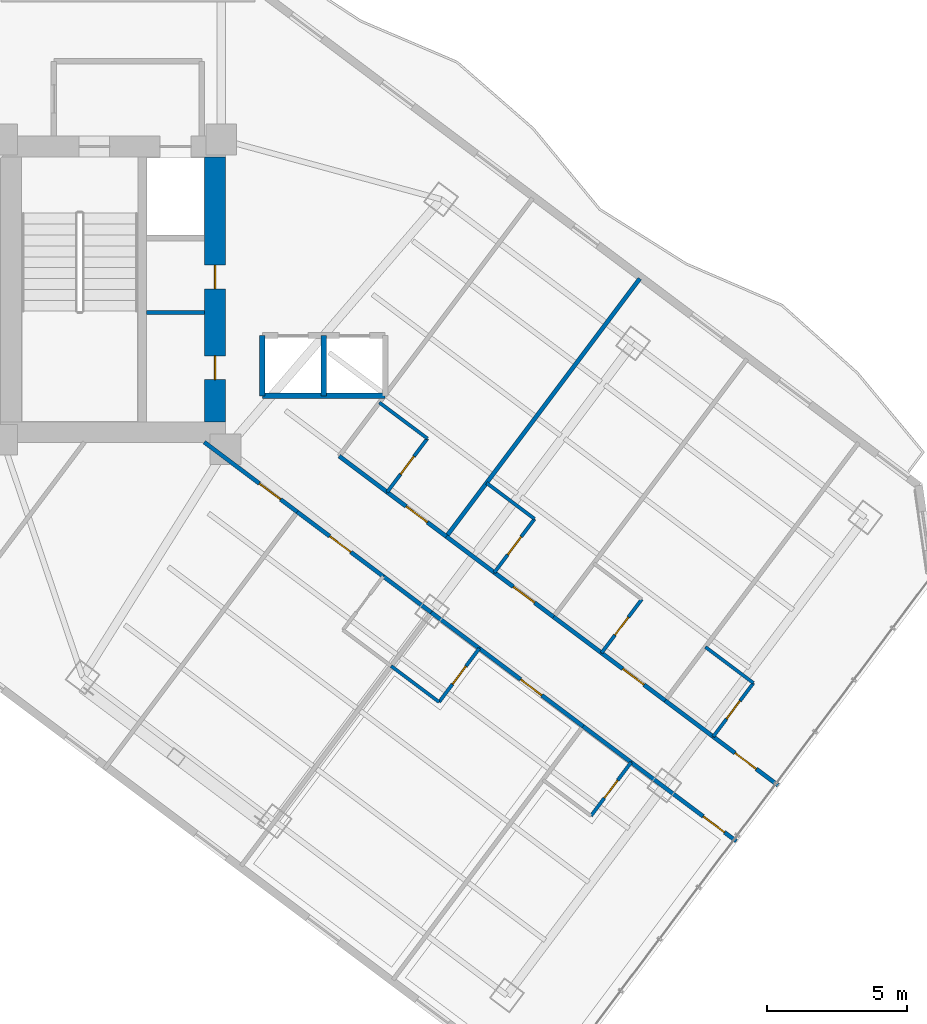
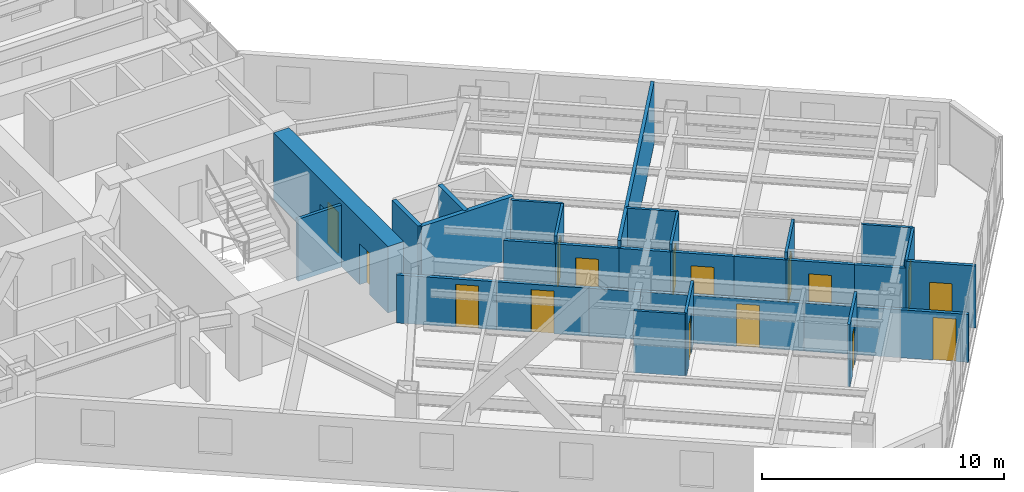
# One storey, part 23 of 30: 31 walls, 16 doors, 16 openings.
"""IFC4 building model written with IfcOpenShell, lengths in metres."""

from ifc_helpers import new_model, si_unit, direction, frame, frame_2d, origin, place, context, subcontext, project, spatial, rectangle, extrude, material, layer, layer_set, type_object, element, fill, save


model = new_model("IFC4")

# Units and contexts
model_context = context("Model", 3, precision=1e-05, world=origin(), true_north=direction((0.0, 1.0)))
body_context = subcontext(model_context, "Body", "Model", "MODEL_VIEW")
ifc_project = project(units=[si_unit("LENGTHUNIT", "METRE"), si_unit("AREAUNIT", "SQUARE_METRE"), si_unit("VOLUMEUNIT", "CUBIC_METRE"), si_unit("PLANEANGLEUNIT", "RADIAN"), si_unit("MASSUNIT", "GRAM", prefix="KILO")], contexts=[model_context])

# Site, building, storey
site_placement = place(None, origin())
site = spatial("IfcSite", under=ifc_project, at=site_placement, CompositionType="ELEMENT")
building_placement = place(site_placement, origin())
building = spatial("IfcBuilding", under=site, at=building_placement, Name="Hatsunagi Terrace Concourse", CompositionType="ELEMENT")
storey_placement = place(building_placement, frame((0.0, 0.0, 74.60009765625)))
storey = spatial("IfcBuildingStorey", under=building, at=storey_placement, Name="L19", CompositionType="ELEMENT", Elevation=74.60009765625)

# Wall, openings, doors
ifc_material_1 = material(Name="Concrete Fc60", Category="concrete")
ifc_layer_1 = layer(ifc_material_1, 0.75)
ifc_layer_set_1 = layer_set([ifc_layer_1], Name="CoreShearWall_Fc60_750")
wall_type_1 = type_object("IfcWallType", Name="CoreShearWall_Fc60_750", PredefinedType="SHEAR", material=ifc_layer_set_1)
wall_1_placement = place(storey_placement, frame((43.425048828125, 25.18994140625, 0.0), z_axis=(0.0, 0.0, 1.0), x_axis=(0.0, 1.0, 0.0)))
wall_1 = element("IfcWall", 1, at=wall_1_placement, inside=storey, type_object=wall_type_1, Name="Core B Shear Wall E L19", PredefinedType="SHEAR", context=body_context, shape_type="SweptSolid", body=[
    extrude(rectangle(XDim=9.47998046875, YDim=0.75, at=frame_2d((4.739990234375, 0.0))), origin(), (0.0, 0.0, 1.0), 3.349853515625),
])
opening_1_placement = place(wall_1_placement, frame((1.510009765625, 0.0, 0.0)))
opening_1 = element("IfcOpeningElement", 2, at=opening_1_placement, cuts=wall_1, Name="Opening DR-085", PredefinedType="OPENING", context=body_context, shape_type="SweptSolid", body=[
    extrude(rectangle(XDim=0.85009765625, YDim=2.080078125, at=frame_2d((0.425048828125, 1.0400390625))), frame((0.0, 0.385009765625, 0.0), z_axis=(0.0, -1.0, 0.0), x_axis=(1.0, 0.0, 0.0)), (0.0, 0.0, 1.0), 0.77001953125),
])
opening_2_placement = place(wall_1_placement, frame((4.760009765625, 0.0, 0.0)))
opening_2 = element("IfcOpeningElement", 3, at=opening_2_placement, cuts=wall_1, Name="Opening DR-085", PredefinedType="OPENING", context=body_context, shape_type="SweptSolid", body=[
    extrude(rectangle(XDim=0.85009765625, YDim=2.080078125, at=frame_2d((0.425048828125, 1.0400390625))), frame((0.0, 0.385009765625, 0.0), z_axis=(0.0, -1.0, 0.0), x_axis=(1.0, 0.0, 0.0)), (0.0, 0.0, 1.0), 0.77001953125),
])
ifc_material_2 = material(Name="Painted steel", Category="steel")
door_type_1 = type_object("IfcDoorType", Name="RiserAccessDoor_EI60_850", OperationType="NOTDEFINED", PredefinedType="DOOR", material=ifc_material_2)
door_1_placement = place(opening_1_placement, origin())
door_1 = element("IfcDoor", 4, at=door_1_placement, inside=storey, type_object=door_type_1, Name="Core B Riser Door L19-1", OperationType="SINGLE_SWING_RIGHT", OverallHeight=2.080078125, OverallWidth=0.85009765625, PredefinedType="DOOR", context=body_context, shape_type="SweptSolid", body=[
    extrude(rectangle(XDim=0.85009765625, YDim=2.080078125, at=frame_2d((0.425048828125, 1.0400390625))), frame((0.0, 0.02490234375, 0.0), z_axis=(0.0, -1.0, 0.0), x_axis=(1.0, 0.0, 0.0)), (0.0, 0.0, 1.0), 0.050048828125),
])
fill(opening_1, door_1)
door_2_placement = place(opening_2_placement, origin())
door_2 = element("IfcDoor", 5, at=door_2_placement, inside=storey, type_object=door_type_1, Name="Core B Riser Door L19-2", OperationType="SINGLE_SWING_RIGHT", OverallHeight=2.080078125, OverallWidth=0.85009765625, PredefinedType="DOOR", context=body_context, shape_type="SweptSolid", body=[
    extrude(rectangle(XDim=0.85009765625, YDim=2.080078125, at=frame_2d((0.425048828125, 1.0400390625))), frame((0.0, 0.02490234375, 0.0), z_axis=(0.0, -1.0, 0.0), x_axis=(1.0, 0.0, 0.0)), (0.0, 0.0, 1.0), 0.050048828125),
])
fill(opening_2, door_2)

# Wall, opening, door
ifc_material_3 = material(Name="Acoustic mineral board", Category="gypsum")
ifc_layer_2 = layer(ifc_material_3, 0.1201171875)
ifc_layer_set_2 = layer_set([ifc_layer_2], Name="PartitionWall_EI30_120")
wall_type_2 = type_object("IfcWallType", Name="PartitionWall_EI30_120", PredefinedType="PARTITIONING", material=ifc_layer_set_2)
wall_2_placement = place(storey_placement, frame((49.590087890625, 22.669921875, 0.0), z_axis=(0.0, 0.0, 1.0), x_axis=(0.599951172744, 0.800036618114, 0.0)))
wall_2 = element("IfcWall", 6, at=wall_2_placement, inside=storey, type_object=wall_type_2, Name="Interior Partition IW-L19-067", PredefinedType="PARTITIONING", context=body_context, shape_type="SweptSolid", body=[
    extrude(rectangle(XDim=2.400146484375, YDim=0.1201171875, at=frame_2d((1.2001953125, 0.0))), origin(), (0.0, 0.0, 1.0), 3.1298828125),
])
opening_3_placement = place(wall_2_placement, frame((0.800048828125, 0.0, 0.0)))
opening_3 = element("IfcOpeningElement", 7, at=opening_3_placement, cuts=wall_2, Name="Opening DR-080", PredefinedType="OPENING", context=body_context, shape_type="SweptSolid", body=[
    extrude(rectangle(XDim=0.800048828125, YDim=2.06005859375, at=frame_2d((0.39990234375, 1.030029296875))), frame((0.0, 0.070068359375, 0.0), z_axis=(0.0, -1.0, 0.0), x_axis=(1.0, 0.0, 0.0)), (0.0, 0.0, 1.0), 0.14013671875),
])
ifc_material_4 = material(Name="Hardwood timber", Category="wood")
door_type_2 = type_object("IfcDoorType", Name="BathroomDoor_800", OperationType="NOTDEFINED", PredefinedType="DOOR", material=ifc_material_4)
door_3_placement = place(opening_3_placement, origin())
door_3 = element("IfcDoor", 8, at=door_3_placement, inside=storey, type_object=door_type_2, Name="En-Suite Bathroom L19-SENE1 Door", OperationType="SINGLE_SWING_LEFT", OverallHeight=2.06005859375, OverallWidth=0.800048828125, PredefinedType="DOOR", context=body_context, shape_type="SweptSolid", body=[
    extrude(rectangle(XDim=0.800048828125, YDim=2.06005859375, at=frame_2d((0.39990234375, 1.030029296875))), frame((0.0, 0.02490234375, 0.0), z_axis=(0.0, -1.0, 0.0), x_axis=(1.0, 0.0, 0.0)), (0.0, 0.0, 1.0), 0.050048828125),
])
fill(opening_3, door_3)

# Wall
wall_3_placement = place(storey_placement, frame((49.31005859375, 25.8798828125, 0.0), z_axis=(0.0, 0.0, 1.0), x_axis=(0.800040880289, -0.59994548908, 0.0)))
element("IfcWall", 9, at=wall_3_placement, inside=storey, type_object=wall_type_2, Name="Interior Partition IW-L19-068", PredefinedType="PARTITIONING", context=body_context, shape_type="SweptSolid", body=[
    extrude(rectangle(XDim=2.14990234375, YDim=0.1201171875, at=frame_2d((1.074951171875, 0.0))), origin(), (0.0, 0.0, 1.0), 3.1298828125),
])

# Wall, opening, door
wall_4_placement = place(storey_placement, frame((53.429931640625, 19.7900390625, 0.0), z_axis=(0.0, 0.0, 1.0), x_axis=(0.600065100855, 0.79995117022, 0.0)))
wall_4 = element("IfcWall", 10, at=wall_4_placement, inside=storey, type_object=wall_type_2, Name="Interior Partition IW-L19-073", PredefinedType="PARTITIONING", context=body_context, shape_type="SweptSolid", body=[
    extrude(rectangle(XDim=2.400146484375, YDim=0.1201171875, at=frame_2d((1.2001953125, 0.0))), origin(), (0.0, 0.0, 1.0), 3.1298828125),
])
opening_4_placement = place(wall_4_placement, frame((0.800048828125, 0.0, 0.0)))
opening_4 = element("IfcOpeningElement", 11, at=opening_4_placement, cuts=wall_4, Name="Opening DR-080", PredefinedType="OPENING", context=body_context, shape_type="SweptSolid", body=[
    extrude(rectangle(XDim=0.800048828125, YDim=2.06005859375, at=frame_2d((0.39990234375, 1.030029296875))), frame((0.0, 0.070068359375, 0.0), z_axis=(0.0, -1.0, 0.0), x_axis=(1.0, 0.0, 0.0)), (0.0, 0.0, 1.0), 0.14013671875),
])
door_4_placement = place(opening_4_placement, origin())
door_4 = element("IfcDoor", 12, at=door_4_placement, inside=storey, type_object=door_type_2, Name="En-Suite Bathroom L19-SENE2 Door", OperationType="SINGLE_SWING_RIGHT", OverallHeight=2.06005859375, OverallWidth=0.800048828125, PredefinedType="DOOR", context=body_context, shape_type="SweptSolid", body=[
    extrude(rectangle(XDim=0.800048828125, YDim=2.06005859375, at=frame_2d((0.39990234375, 1.030029296875))), frame((0.0, 0.02490234375, 0.0), z_axis=(0.0, -1.0, 0.0), x_axis=(1.0, 0.0, 0.0)), (0.0, 0.0, 1.0), 0.050048828125),
])
fill(opening_4, door_4)

# Wall
wall_5_placement = place(storey_placement, frame((53.14990234375, 23.0, 0.0), z_axis=(0.0, 0.0, 1.0), x_axis=(0.800027249606, -0.599963665473, 0.0)))
element("IfcWall", 13, at=wall_5_placement, inside=storey, type_object=wall_type_2, Name="Interior Partition IW-L19-074", PredefinedType="PARTITIONING", context=body_context, shape_type="SweptSolid", body=[
    extrude(rectangle(XDim=2.150146484375, YDim=0.1201171875, at=frame_2d((1.0751953125, 0.0))), origin(), (0.0, 0.0, 1.0), 3.1298828125),
])

# Wall, opening, door
wall_6_placement = place(storey_placement, frame((57.27001953125, 16.909912109375, 0.0), z_axis=(0.0, 0.0, 1.0), x_axis=(0.599951172744, 0.800036618114, 0.0)))
wall_6 = element("IfcWall", 14, at=wall_6_placement, inside=storey, type_object=wall_type_2, Name="Interior Partition IW-L19-078", PredefinedType="PARTITIONING", context=body_context, shape_type="SweptSolid", body=[
    extrude(rectangle(XDim=2.400146484375, YDim=0.1201171875, at=frame_2d((1.2001953125, 0.0))), origin(), (0.0, 0.0, 1.0), 3.1298828125),
])
opening_5_placement = place(wall_6_placement, frame((0.800048828125, 0.0, 0.0)))
opening_5 = element("IfcOpeningElement", 15, at=opening_5_placement, cuts=wall_6, Name="Opening DR-080", PredefinedType="OPENING", context=body_context, shape_type="SweptSolid", body=[
    extrude(rectangle(XDim=0.800048828125, YDim=2.06005859375, at=frame_2d((0.39990234375, 1.030029296875))), frame((0.0, 0.070068359375, 0.0), z_axis=(0.0, -1.0, 0.0), x_axis=(1.0, 0.0, 0.0)), (0.0, 0.0, 1.0), 0.14013671875),
])
door_5_placement = place(opening_5_placement, origin())
door_5 = element("IfcDoor", 16, at=door_5_placement, inside=storey, type_object=door_type_2, Name="En-Suite Bathroom L19-SENE3 Door", OperationType="SINGLE_SWING_LEFT", OverallHeight=2.06005859375, OverallWidth=0.800048828125, PredefinedType="DOOR", context=body_context, shape_type="SweptSolid", body=[
    extrude(rectangle(XDim=0.800048828125, YDim=2.06005859375, at=frame_2d((0.39990234375, 1.030029296875))), frame((0.0, 0.02490234375, 0.0), z_axis=(0.0, -1.0, 0.0), x_axis=(1.0, 0.0, 0.0)), (0.0, 0.0, 1.0), 0.050048828125),
])
fill(opening_5, door_5)

wall_7_placement = place(storey_placement, frame((61.27001953125, 13.909912109375, 0.0), z_axis=(0.0, 0.0, 1.0), x_axis=(0.599951172744, 0.800036618114, 0.0)))
wall_7 = element("IfcWall", 17, at=wall_7_placement, inside=storey, type_object=wall_type_2, Name="Interior Partition IW-L19-083", PredefinedType="PARTITIONING", context=body_context, shape_type="SweptSolid", body=[
    extrude(rectangle(XDim=2.400146484375, YDim=0.1201171875, at=frame_2d((1.2001953125, 0.0))), origin(), (0.0, 0.0, 1.0), 3.1298828125),
])
opening_6_placement = place(wall_7_placement, frame((0.800048828125, 0.0, 0.0)))
opening_6 = element("IfcOpeningElement", 18, at=opening_6_placement, cuts=wall_7, Name="Opening DR-080", PredefinedType="OPENING", context=body_context, shape_type="SweptSolid", body=[
    extrude(rectangle(XDim=0.800048828125, YDim=2.06005859375, at=frame_2d((0.39990234375, 1.030029296875))), frame((0.0, 0.070068359375, 0.0), z_axis=(0.0, -1.0, 0.0), x_axis=(1.0, 0.0, 0.0)), (0.0, 0.0, 1.0), 0.14013671875),
])
door_6_placement = place(opening_6_placement, origin())
door_6 = element("IfcDoor", 19, at=door_6_placement, inside=storey, type_object=door_type_2, Name="En-Suite Bathroom L19-SENE4 Door", OperationType="SINGLE_SWING_RIGHT", OverallHeight=2.06005859375, OverallWidth=0.800048828125, PredefinedType="DOOR", context=body_context, shape_type="SweptSolid", body=[
    extrude(rectangle(XDim=0.800048828125, YDim=2.06005859375, at=frame_2d((0.39990234375, 1.030029296875))), frame((0.0, 0.02490234375, 0.0), z_axis=(0.0, -1.0, 0.0), x_axis=(1.0, 0.0, 0.0)), (0.0, 0.0, 1.0), 0.050048828125),
])
fill(opening_6, door_6)

# Wall
wall_8_placement = place(storey_placement, frame((60.989990234375, 17.1201171875, 0.0), z_axis=(0.0, 0.0, 1.0), x_axis=(0.79998637334, -0.60001816845, 0.0)))
element("IfcWall", 20, at=wall_8_placement, inside=storey, type_object=wall_type_2, Name="Interior Partition IW-L19-084", PredefinedType="PARTITIONING", context=body_context, shape_type="SweptSolid", body=[
    extrude(rectangle(XDim=2.14990234375, YDim=0.1201171875, at=frame_2d((1.074951171875, 0.0))), origin(), (0.0, 0.0, 1.0), 3.1298828125),
])

# Wall, opening, door
wall_9_placement = place(storey_placement, frame((51.449951171875, 15.14990234375, 0.0), z_axis=(0.0, 0.0, 1.0), x_axis=(0.599951172744, 0.800036618114, 0.0)))
wall_9 = element("IfcWall", 21, at=wall_9_placement, inside=storey, type_object=wall_type_2, Name="Interior Partition IW-L19-092", PredefinedType="PARTITIONING", context=body_context, shape_type="SweptSolid", body=[
    extrude(rectangle(XDim=2.400146484375, YDim=0.1201171875, at=frame_2d((1.2001953125, 0.0))), origin(), (0.0, 0.0, 1.0), 3.1298828125),
])
opening_7_placement = place(wall_9_placement, frame((0.800048828125, 0.0, 0.0)))
opening_7 = element("IfcOpeningElement", 22, at=opening_7_placement, cuts=wall_9, Name="Opening DR-080", PredefinedType="OPENING", context=body_context, shape_type="SweptSolid", body=[
    extrude(rectangle(XDim=0.800048828125, YDim=2.06005859375, at=frame_2d((0.39990234375, 1.030029296875))), frame((0.0, 0.070068359375, 0.0), z_axis=(0.0, -1.0, 0.0), x_axis=(1.0, 0.0, 0.0)), (0.0, 0.0, 1.0), 0.14013671875),
])
door_7_placement = place(opening_7_placement, origin())
door_7 = element("IfcDoor", 23, at=door_7_placement, inside=storey, type_object=door_type_2, Name="En-Suite Bathroom L19-SESW2 Door", OperationType="SINGLE_SWING_RIGHT", OverallHeight=2.06005859375, OverallWidth=0.800048828125, PredefinedType="DOOR", context=body_context, shape_type="SweptSolid", body=[
    extrude(rectangle(XDim=0.800048828125, YDim=2.06005859375, at=frame_2d((0.39990234375, 1.030029296875))), frame((0.0, 0.02490234375, 0.0), z_axis=(0.0, -1.0, 0.0), x_axis=(1.0, 0.0, 0.0)), (0.0, 0.0, 1.0), 0.050048828125),
])
fill(opening_7, door_7)

# Wall
wall_10_placement = place(storey_placement, frame((49.72998046875, 16.43994140625, 0.0), z_axis=(0.0, 0.0, 1.0), x_axis=(0.79998637334, -0.60001816845, 0.0)))
element("IfcWall", 24, at=wall_10_placement, inside=storey, type_object=wall_type_2, Name="Interior Partition IW-L19-093", PredefinedType="PARTITIONING", context=body_context, shape_type="SweptSolid", body=[
    extrude(rectangle(XDim=2.14990234375, YDim=0.1201171875, at=frame_2d((1.074951171875, 0.0))), origin(), (0.0, 0.0, 1.0), 3.1298828125),
])

# Wall, opening, door
wall_11_placement = place(storey_placement, frame((56.889892578125, 11.070068359375, 0.0), z_axis=(0.0, 0.0, 1.0), x_axis=(0.600065100855, 0.79995117022, 0.0)))
wall_11 = element("IfcWall", 25, at=wall_11_placement, inside=storey, type_object=wall_type_2, Name="Interior Partition IW-L19-097", PredefinedType="PARTITIONING", context=body_context, shape_type="SweptSolid", body=[
    extrude(rectangle(XDim=2.400146484375, YDim=0.1201171875, at=frame_2d((1.2001953125, 0.0))), origin(), (0.0, 0.0, 1.0), 3.1298828125),
])
opening_8_placement = place(wall_11_placement, frame((0.800048828125, 0.0, 0.0)))
opening_8 = element("IfcOpeningElement", 26, at=opening_8_placement, cuts=wall_11, Name="Opening DR-080", PredefinedType="OPENING", context=body_context, shape_type="SweptSolid", body=[
    extrude(rectangle(XDim=0.800048828125, YDim=2.06005859375, at=frame_2d((0.39990234375, 1.030029296875))), frame((0.0, 0.070068359375, 0.0), z_axis=(0.0, -1.0, 0.0), x_axis=(1.0, 0.0, 0.0)), (0.0, 0.0, 1.0), 0.14013671875),
])
door_8_placement = place(opening_8_placement, origin())
door_8 = element("IfcDoor", 27, at=door_8_placement, inside=storey, type_object=door_type_2, Name="En-Suite Bathroom L19-SESW3 Door", OperationType="SINGLE_SWING_LEFT", OverallHeight=2.06005859375, OverallWidth=0.800048828125, PredefinedType="DOOR", context=body_context, shape_type="SweptSolid", body=[
    extrude(rectangle(XDim=0.800048828125, YDim=2.06005859375, at=frame_2d((0.39990234375, 1.030029296875))), frame((0.0, 0.02490234375, 0.0), z_axis=(0.0, -1.0, 0.0), x_axis=(1.0, 0.0, 0.0)), (0.0, 0.0, 1.0), 0.050048828125),
])
fill(opening_8, door_8)

# Wall
ifc_material_5 = material(Name="Acoustic mineral board", Category="gypsum")
ifc_layer_3 = layer(ifc_material_5, 0.14990234375)
ifc_layer_set_3 = layer_set([ifc_layer_3], Name="PartitionWall_EI60_150")
wall_type_3 = type_object("IfcWallType", Name="PartitionWall_EI60_150", PredefinedType="PARTITIONING", material=ifc_layer_set_3)
wall_12_placement = place(storey_placement, frame((40.969970703125, 29.10009765625, 0.0), z_axis=(0.0, 0.0, 1.0), x_axis=(1.0, 0.0, 0.0)))
element("IfcWall", 28, at=wall_12_placement, inside=storey, type_object=wall_type_3, Name="Interior Partition IW-L19-005", PredefinedType="PARTITIONING", context=body_context, shape_type="SweptSolid", body=[
    extrude(rectangle(XDim=2.080078125, YDim=0.14990234375, at=frame_2d((1.0400390625, 0.0))), origin(), (0.0, 0.0, 1.0), 3.1298828125),
])

# Wall, opening, door
wall_13_placement = place(storey_placement, frame((43.037109375, 24.4599609375, 0.0), z_axis=(0.0, 0.0, 1.0), x_axis=(0.799971872363, -0.600037501685, 0.0)))
wall_13 = element("IfcWall", 29, at=wall_13_placement, inside=storey, type_object=wall_type_3, Name="Interior Partition IW-L19-042", PredefinedType="PARTITIONING", context=body_context, shape_type="SweptSolid", body=[
    extrude(rectangle(XDim=4.16650390625, YDim=0.14990234375, at=frame_2d((2.083251953125, 0.0))), origin(), (0.0, 0.0, 1.0), 2.4248046875),
])
opening_9_placement = place(wall_13_placement, frame((2.468017578125, 0.0, 0.0)))
opening_9 = element("IfcOpeningElement", 30, at=opening_9_placement, cuts=wall_13, Name="Opening DR-095", PredefinedType="OPENING", context=body_context, shape_type="SweptSolid", body=[
    extrude(rectangle(XDim=0.949951171875, YDim=2.14990234375, at=frame_2d((0.47509765625, 1.074951171875))), frame((0.0, 0.0849609375, 0.0), z_axis=(0.0, -1.0, 0.0), x_axis=(1.0, 0.0, 0.0)), (0.0, 0.0, 1.0), 0.169921875),
])
ifc_material_6 = material(Name="Hardwood timber", Category="wood")
door_type_3 = type_object("IfcDoorType", Name="InteriorSuiteDoor_EI30_950", OperationType="NOTDEFINED", PredefinedType="DOOR", material=ifc_material_6)
door_9_placement = place(opening_9_placement, origin())
door_9 = element("IfcDoor", 31, at=door_9_placement, inside=storey, type_object=door_type_3, Name="Meeting Room L19-HMTG Door", OperationType="SINGLE_SWING_RIGHT", OverallHeight=2.14990234375, OverallWidth=0.949951171875, PredefinedType="DOOR", context=body_context, shape_type="SweptSolid", body=[
    extrude(rectangle(XDim=0.949951171875, YDim=2.14990234375, at=frame_2d((0.47509765625, 1.074951171875))), frame((0.0, 0.02490234375, 0.0), z_axis=(0.0, -1.0, 0.0), x_axis=(1.0, 0.0, 0.0)), (0.0, 0.0, 1.0), 0.050048828125),
])
fill(opening_9, door_9)

# Wall
wall_14_placement = place(storey_placement, frame((47.8701171875, 23.9599609375, 0.0), z_axis=(0.0, 0.0, 1.0), x_axis=(0.79998637334, -0.60001816845, 0.0)))
element("IfcWall", 32, at=wall_14_placement, inside=storey, type_object=wall_type_3, Name="Interior Partition IW-L19-065", PredefinedType="PARTITIONING", context=body_context, shape_type="SweptSolid", body=[
    extrude(rectangle(XDim=2.14990234375, YDim=0.14990234375, at=frame_2d((1.074951171875, 0.0))), origin(), (0.0, 0.0, 1.0), 2.77490234375),
])

# Wall, opening, door
wall_15_placement = place(storey_placement, frame((49.590087890625, 22.669921875, 0.0), z_axis=(0.0, 0.0, 1.0), x_axis=(0.800011056104, -0.599985258246, 0.0)))
wall_15 = element("IfcWall", 33, at=wall_15_placement, inside=storey, type_object=wall_type_3, Name="Interior Partition IW-L19-066", PredefinedType="PARTITIONING", context=body_context, shape_type="SweptSolid", body=[
    extrude(rectangle(XDim=2.64990234375, YDim=0.14990234375, at=frame_2d((1.324951171875, 0.0))), origin(), (0.0, 0.0, 1.0), 2.77490234375),
])
opening_10_placement = place(wall_15_placement, frame((0.85009765625, 0.0, 0.0)))
opening_10 = element("IfcOpeningElement", 34, at=opening_10_placement, cuts=wall_15, Name="Opening DR-095", PredefinedType="OPENING", context=body_context, shape_type="SweptSolid", body=[
    extrude(rectangle(XDim=0.949951171875, YDim=2.14990234375, at=frame_2d((0.47509765625, 1.074951171875))), frame((0.0, 0.0849609375, 0.0), z_axis=(0.0, -1.0, 0.0), x_axis=(1.0, 0.0, 0.0)), (0.0, 0.0, 1.0), 0.169921875),
])
door_10_placement = place(opening_10_placement, origin())
door_10 = element("IfcDoor", 35, at=door_10_placement, inside=storey, type_object=door_type_3, Name="Hotel Guest Room L19-SENE1 Door", OperationType="SINGLE_SWING_LEFT", OverallHeight=2.14990234375, OverallWidth=0.949951171875, PredefinedType="DOOR", context=body_context, shape_type="SweptSolid", body=[
    extrude(rectangle(XDim=0.949951171875, YDim=2.14990234375, at=frame_2d((0.47509765625, 1.074951171875))), frame((0.0, 0.02490234375, 0.0), z_axis=(0.0, -1.0, 0.0), x_axis=(1.0, 0.0, 0.0)), (0.0, 0.0, 1.0), 0.050048828125),
])
fill(opening_10, door_10)

# Walls
wall_16_placement = place(storey_placement, frame((51.7099609375, 21.080078125, 0.0), z_axis=(0.0, 0.0, 1.0), x_axis=(0.599996617946, 0.80000253653, 0.0)))
element("IfcWall", 36, at=wall_16_placement, inside=storey, type_object=wall_type_3, Name="Interior Partition IW-L19-070", PredefinedType="PARTITIONING", context=body_context, shape_type="SweptSolid", body=[
    extrude(rectangle(XDim=11.550048828125, YDim=0.14990234375, at=frame_2d((5.77490234375, 0.0))), origin(), (0.0, 0.0, 1.0), 3.1298828125),
])
wall_17_placement = place(storey_placement, frame((51.7099609375, 21.080078125, 0.0), z_axis=(0.0, 0.0, 1.0), x_axis=(0.79998637334, -0.60001816845, 0.0)))
element("IfcWall", 37, at=wall_17_placement, inside=storey, type_object=wall_type_3, Name="Interior Partition IW-L19-071", PredefinedType="PARTITIONING", context=body_context, shape_type="SweptSolid", body=[
    extrude(rectangle(XDim=2.14990234375, YDim=0.14990234375, at=frame_2d((1.074951171875, 0.0))), origin(), (0.0, 0.0, 1.0), 2.77490234375),
])

# Wall, opening, door
wall_18_placement = place(storey_placement, frame((53.429931640625, 19.7900390625, 0.0), z_axis=(0.0, 0.0, 1.0), x_axis=(0.8, -0.6, 0.0)))
wall_18 = element("IfcWall", 38, at=wall_18_placement, inside=storey, type_object=wall_type_3, Name="Interior Partition IW-L19-072", PredefinedType="PARTITIONING", context=body_context, shape_type="SweptSolid", body=[
    extrude(rectangle(XDim=2.650146484375, YDim=0.14990234375, at=frame_2d((1.3251953125, 0.0))), origin(), (0.0, 0.0, 1.0), 2.77490234375),
])
opening_11_placement = place(wall_18_placement, frame((0.85009765625, 0.0, 0.0)))
opening_11 = element("IfcOpeningElement", 39, at=opening_11_placement, cuts=wall_18, Name="Opening DR-095", PredefinedType="OPENING", context=body_context, shape_type="SweptSolid", body=[
    extrude(rectangle(XDim=0.949951171875, YDim=2.14990234375, at=frame_2d((0.47509765625, 1.074951171875))), frame((0.0, 0.0849609375, 0.0), z_axis=(0.0, -1.0, 0.0), x_axis=(1.0, 0.0, 0.0)), (0.0, 0.0, 1.0), 0.169921875),
])
door_11_placement = place(opening_11_placement, origin())
door_11 = element("IfcDoor", 40, at=door_11_placement, inside=storey, type_object=door_type_3, Name="Hotel Guest Room L19-SENE2 Door", OperationType="SINGLE_SWING_LEFT", OverallHeight=2.14990234375, OverallWidth=0.949951171875, PredefinedType="DOOR", context=body_context, shape_type="SweptSolid", body=[
    extrude(rectangle(XDim=0.949951171875, YDim=2.14990234375, at=frame_2d((0.47509765625, 1.074951171875))), frame((0.0, 0.02490234375, 0.0), z_axis=(0.0, -1.0, 0.0), x_axis=(1.0, 0.0, 0.0)), (0.0, 0.0, 1.0), 0.050048828125),
])
fill(opening_11, door_11)

# Wall
wall_19_placement = place(storey_placement, frame((55.550048828125, 18.199951171875, 0.0), z_axis=(0.0, 0.0, 1.0), x_axis=(0.79998637334, -0.60001816845, 0.0)))
element("IfcWall", 41, at=wall_19_placement, inside=storey, type_object=wall_type_3, Name="Interior Partition IW-L19-076", PredefinedType="PARTITIONING", context=body_context, shape_type="SweptSolid", body=[
    extrude(rectangle(XDim=2.14990234375, YDim=0.14990234375, at=frame_2d((1.074951171875, 0.0))), origin(), (0.0, 0.0, 1.0), 2.77490234375),
])

# Wall, opening, door
wall_20_placement = place(storey_placement, frame((57.27001953125, 16.909912109375, 0.0), z_axis=(0.0, 0.0, 1.0), x_axis=(0.800010279488, -0.599986293772, 0.0)))
wall_20 = element("IfcWall", 42, at=wall_20_placement, inside=storey, type_object=wall_type_3, Name="Interior Partition IW-L19-077", PredefinedType="PARTITIONING", context=body_context, shape_type="SweptSolid", body=[
    extrude(rectangle(XDim=2.85009765625, YDim=0.14990234375, at=frame_2d((1.425048828125, 0.0))), origin(), (0.0, 0.0, 1.0), 2.77490234375),
])
opening_12_placement = place(wall_20_placement, frame((0.949951171875, 0.0, 0.0)))
opening_12 = element("IfcOpeningElement", 43, at=opening_12_placement, cuts=wall_20, Name="Opening DR-095", PredefinedType="OPENING", context=body_context, shape_type="SweptSolid", body=[
    extrude(rectangle(XDim=0.949951171875, YDim=2.14990234375, at=frame_2d((0.47509765625, 1.074951171875))), frame((0.0, 0.0849609375, 0.0), z_axis=(0.0, -1.0, 0.0), x_axis=(1.0, 0.0, 0.0)), (0.0, 0.0, 1.0), 0.169921875),
])
door_12_placement = place(opening_12_placement, origin())
door_12 = element("IfcDoor", 44, at=door_12_placement, inside=storey, type_object=door_type_3, Name="Hotel Guest Room L19-SENE3 Door", OperationType="SINGLE_SWING_LEFT", OverallHeight=2.14990234375, OverallWidth=0.949951171875, PredefinedType="DOOR", context=body_context, shape_type="SweptSolid", body=[
    extrude(rectangle(XDim=0.949951171875, YDim=2.14990234375, at=frame_2d((0.47509765625, 1.074951171875))), frame((0.0, 0.02490234375, 0.0), z_axis=(0.0, -1.0, 0.0), x_axis=(1.0, 0.0, 0.0)), (0.0, 0.0, 1.0), 0.050048828125),
])
fill(opening_12, door_12)

# Wall
wall_21_placement = place(storey_placement, frame((59.550048828125, 15.199951171875, 0.0), z_axis=(0.0, 0.0, 1.0), x_axis=(0.79998637334, -0.60001816845, 0.0)))
element("IfcWall", 45, at=wall_21_placement, inside=storey, type_object=wall_type_3, Name="Interior Partition IW-L19-081", PredefinedType="PARTITIONING", context=body_context, shape_type="SweptSolid", body=[
    extrude(rectangle(XDim=2.14990234375, YDim=0.14990234375, at=frame_2d((1.074951171875, 0.0))), origin(), (0.0, 0.0, 1.0), 2.77490234375),
])

# Wall, opening, door
wall_22_placement = place(storey_placement, frame((61.27001953125, 13.909912109375, 0.0), z_axis=(0.0, 0.0, 1.0), x_axis=(0.800010068184, -0.59998657552, 0.0)))
wall_22 = element("IfcWall", 46, at=wall_22_placement, inside=storey, type_object=wall_type_3, Name="Interior Partition IW-L19-082", PredefinedType="PARTITIONING", context=body_context, shape_type="SweptSolid", body=[
    extrude(rectangle(XDim=2.909912109375, YDim=0.14990234375, at=frame_2d((1.455078125, 0.0))), origin(), (0.0, 0.0, 1.0), 3.1298828125),
])
opening_13_placement = place(wall_22_placement, frame((0.97998046875, 0.0, 0.0)))
opening_13 = element("IfcOpeningElement", 47, at=opening_13_placement, cuts=wall_22, Name="Opening DR-095", PredefinedType="OPENING", context=body_context, shape_type="SweptSolid", body=[
    extrude(rectangle(XDim=0.949951171875, YDim=2.14990234375, at=frame_2d((0.47509765625, 1.074951171875))), frame((0.0, 0.0849609375, 0.0), z_axis=(0.0, -1.0, 0.0), x_axis=(1.0, 0.0, 0.0)), (0.0, 0.0, 1.0), 0.169921875),
])
door_13_placement = place(opening_13_placement, origin())
door_13 = element("IfcDoor", 48, at=door_13_placement, inside=storey, type_object=door_type_3, Name="Hotel Guest Room L19-SENE4 Door", OperationType="SINGLE_SWING_LEFT", OverallHeight=2.14990234375, OverallWidth=0.949951171875, PredefinedType="DOOR", context=body_context, shape_type="SweptSolid", body=[
    extrude(rectangle(XDim=0.949951171875, YDim=2.14990234375, at=frame_2d((0.47509765625, 1.074951171875))), frame((0.0, 0.02490234375, 0.0), z_axis=(0.0, -1.0, 0.0), x_axis=(1.0, 0.0, 0.0)), (0.0, 0.0, 1.0), 0.050048828125),
])
fill(opening_13, door_13)

wall_23_placement = place(storey_placement, frame((46.3701171875, 21.9599609375, 0.0), z_axis=(0.0, 0.0, 1.0), x_axis=(0.799977170108, -0.600030438649, 0.0)))
wall_23 = element("IfcWall", 49, at=wall_23_placement, inside=storey, type_object=wall_type_3, Name="Interior Partition IW-L19-085", PredefinedType="PARTITIONING", context=body_context, shape_type="SweptSolid", body=[
    extrude(rectangle(XDim=3.849853515625, YDim=0.14990234375, at=frame_2d((1.9248046875, 0.0))), origin(), (0.0, 0.0, 1.0), 2.4248046875),
])
opening_14_placement = place(wall_23_placement, frame((1.449951171875, 0.0, 0.0)))
opening_14 = element("IfcOpeningElement", 50, at=opening_14_placement, cuts=wall_23, Name="Opening DR-095", PredefinedType="OPENING", context=body_context, shape_type="SweptSolid", body=[
    extrude(rectangle(XDim=0.949951171875, YDim=2.14990234375, at=frame_2d((0.47509765625, 1.074951171875))), frame((0.0, 0.0849609375, 0.0), z_axis=(0.0, -1.0, 0.0), x_axis=(1.0, 0.0, 0.0)), (0.0, 0.0, 1.0), 0.169921875),
])
door_14_placement = place(opening_14_placement, origin())
door_14 = element("IfcDoor", 51, at=door_14_placement, inside=storey, type_object=door_type_3, Name="Hotel Guest Room L19-SESW1 Door", OperationType="SINGLE_SWING_RIGHT", OverallHeight=2.14990234375, OverallWidth=0.949951171875, PredefinedType="DOOR", context=body_context, shape_type="SweptSolid", body=[
    extrude(rectangle(XDim=0.949951171875, YDim=2.14990234375, at=frame_2d((0.47509765625, 1.074951171875))), frame((0.0, 0.02490234375, 0.0), z_axis=(0.0, -1.0, 0.0), x_axis=(1.0, 0.0, 0.0)), (0.0, 0.0, 1.0), 0.050048828125),
])
fill(opening_14, door_14)

# Walls
for number, where, z_axis, x_axis, name in (
    (52, (49.449951171875, 19.64990234375, 0.0), (0.0, 0.0, 1.0), (0.800040880289, -0.59994548908, 0.0), "Interior Partition IW-L19-086"),
    (53, (51.169921875, 18.360107421875, 0.0), (0.0, 0.0, 1.0), (0.79998637334, -0.60001816845, 0.0), "Interior Partition IW-L19-090"),
):
    element("IfcWall", number, at=place(storey_placement, frame(where, z_axis=z_axis, x_axis=x_axis)), inside=storey, type_object=wall_type_3, Name=name, PredefinedType="PARTITIONING", context=body_context, shape_type="SweptSolid", body=[
        extrude(rectangle(XDim=2.14990234375, YDim=0.14990234375, at=frame_2d((1.074951171875, 0.0))), origin(), (0.0, 0.0, 1.0), 2.4248046875),
    ])

# Wall, opening, door
wall_24_placement = place(storey_placement, frame((52.889892578125, 17.070068359375, 0.0), z_axis=(0.0, 0.0, 1.0), x_axis=(0.800012600101, -0.599983199498, 0.0)))
wall_24 = element("IfcWall", 54, at=wall_24_placement, inside=storey, type_object=wall_type_3, Name="Interior Partition IW-L19-091", PredefinedType="PARTITIONING", context=body_context, shape_type="SweptSolid", body=[
    extrude(rectangle(XDim=4.650146484375, YDim=0.14990234375, at=frame_2d((2.3251953125, 0.0))), origin(), (0.0, 0.0, 1.0), 2.4248046875),
])
opening_15_placement = place(wall_24_placement, frame((1.85009765625, 0.0, 0.0)))
opening_15 = element("IfcOpeningElement", 55, at=opening_15_placement, cuts=wall_24, Name="Opening DR-095", PredefinedType="OPENING", context=body_context, shape_type="SweptSolid", body=[
    extrude(rectangle(XDim=0.949951171875, YDim=2.14990234375, at=frame_2d((0.47509765625, 1.074951171875))), frame((0.0, 0.0849609375, 0.0), z_axis=(0.0, -1.0, 0.0), x_axis=(1.0, 0.0, 0.0)), (0.0, 0.0, 1.0), 0.169921875),
])
door_15_placement = place(opening_15_placement, origin())
door_15 = element("IfcDoor", 56, at=door_15_placement, inside=storey, type_object=door_type_3, Name="Corner Hotel Suite L19-SESW2 Door", OperationType="SINGLE_SWING_RIGHT", OverallHeight=2.14990234375, OverallWidth=0.949951171875, PredefinedType="DOOR", context=body_context, shape_type="SweptSolid", body=[
    extrude(rectangle(XDim=0.949951171875, YDim=2.14990234375, at=frame_2d((0.47509765625, 1.074951171875))), frame((0.0, 0.02490234375, 0.0), z_axis=(0.0, -1.0, 0.0), x_axis=(1.0, 0.0, 0.0)), (0.0, 0.0, 1.0), 0.050048828125),
])
fill(opening_15, door_15)

# Wall
wall_25_placement = place(storey_placement, frame((56.610107421875, 14.280029296875, 0.0), z_axis=(0.0, 0.0, 1.0), x_axis=(0.79998637334, -0.60001816845, 0.0)))
element("IfcWall", 57, at=wall_25_placement, inside=storey, type_object=wall_type_3, Name="Interior Partition IW-L19-095", PredefinedType="PARTITIONING", context=body_context, shape_type="SweptSolid", body=[
    extrude(rectangle(XDim=2.14990234375, YDim=0.14990234375, at=frame_2d((1.074951171875, 0.0))), origin(), (0.0, 0.0, 1.0), 2.4248046875),
])

# Wall, opening, door
wall_26_placement = place(storey_placement, frame((58.330078125, 12.989990234375, 0.0), z_axis=(0.0, 0.0, 1.0), x_axis=(0.799993779569, -0.600008293819, 0.0)))
wall_26 = element("IfcWall", 58, at=wall_26_placement, inside=storey, type_object=wall_type_3, Name="Interior Partition IW-L19-096", PredefinedType="PARTITIONING", context=body_context, shape_type="SweptSolid", body=[
    extrude(rectangle(XDim=4.709716796875, YDim=0.14990234375, at=frame_2d((2.35498046875, 0.0))), origin(), (0.0, 0.0, 1.0), 2.4248046875),
])
opening_16_placement = place(wall_26_placement, frame((3.22998046875, 0.0, 0.0)))
opening_16 = element("IfcOpeningElement", 59, at=opening_16_placement, cuts=wall_26, Name="Opening DR-095", PredefinedType="OPENING", context=body_context, shape_type="SweptSolid", body=[
    extrude(rectangle(XDim=0.949951171875, YDim=2.14990234375, at=frame_2d((0.47509765625, 1.074951171875))), frame((0.0, 0.0849609375, 0.0), z_axis=(0.0, -1.0, 0.0), x_axis=(1.0, 0.0, 0.0)), (0.0, 0.0, 1.0), 0.169921875),
])
door_16_placement = place(opening_16_placement, origin())
door_16 = element("IfcDoor", 60, at=door_16_placement, inside=storey, type_object=door_type_3, Name="Corner Hotel Suite L19-SESW3 Door", OperationType="SINGLE_SWING_RIGHT", OverallHeight=2.14990234375, OverallWidth=0.949951171875, PredefinedType="DOOR", context=body_context, shape_type="SweptSolid", body=[
    extrude(rectangle(XDim=0.949951171875, YDim=2.14990234375, at=frame_2d((0.47509765625, 1.074951171875))), frame((0.0, 0.02490234375, 0.0), z_axis=(0.0, -1.0, 0.0), x_axis=(1.0, 0.0, 0.0)), (0.0, 0.0, 1.0), 0.050048828125),
])
fill(opening_16, door_16)

# Walls
ifc_material_7 = material(Name="Acoustic mineral board", Category="gypsum")
ifc_layer_4 = layer(ifc_material_7, 0.199951171875)
ifc_layer_set_4 = layer_set([ifc_layer_4], Name="ShaftWall_EI120_200")
wall_type_4 = type_object("IfcWallType", Name="ShaftWall_EI120_200", PredefinedType="STANDARD", material=ifc_layer_set_4)
wall_27_placement = place(storey_placement, frame((45.1201171875, 26.1201171875, 0.0), z_axis=(0.0, 0.0, 1.0), x_axis=(1.0, 0.0, 0.0)))
element("IfcWall", 61, at=wall_27_placement, inside=storey, type_object=wall_type_4, Name="Interior Partition IW-L19-025", PredefinedType="STANDARD", context=body_context, shape_type="SweptSolid", body=[
    extrude(rectangle(XDim=4.39990234375, YDim=0.199951171875, at=frame_2d((2.199951171875, 0.0))), origin(), (0.0, 0.0, 1.0), 3.1298828125),
])
for number, where, z_axis, x_axis, name in (
    (62, (45.1201171875, 26.1201171875, 0.0), (0.0, 0.0, 1.0), (0.0, 1.0, 0.0), "Interior Partition IW-L19-026"),
    (63, (47.320068359375, 26.1201171875, 0.0), (0.0, 0.0, 1.0), (0.0, 1.0, 0.0), "Interior Partition IW-L19-028"),
):
    element("IfcWall", number, at=place(storey_placement, frame(where, z_axis=z_axis, x_axis=x_axis)), inside=storey, type_object=wall_type_4, Name=name, PredefinedType="STANDARD", context=body_context, shape_type="SweptSolid", body=[
        extrude(rectangle(XDim=2.159912109375, YDim=0.199951171875, at=frame_2d((1.080078125, 0.0))), origin(), (0.0, 0.0, 1.0), 3.1298828125),
    ])

save(model, "model.ifc")
